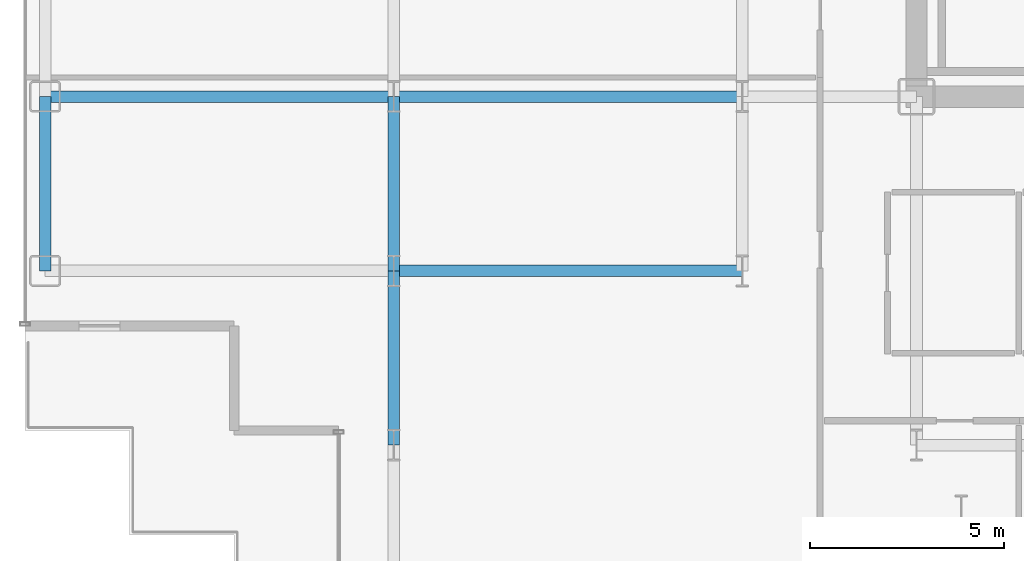
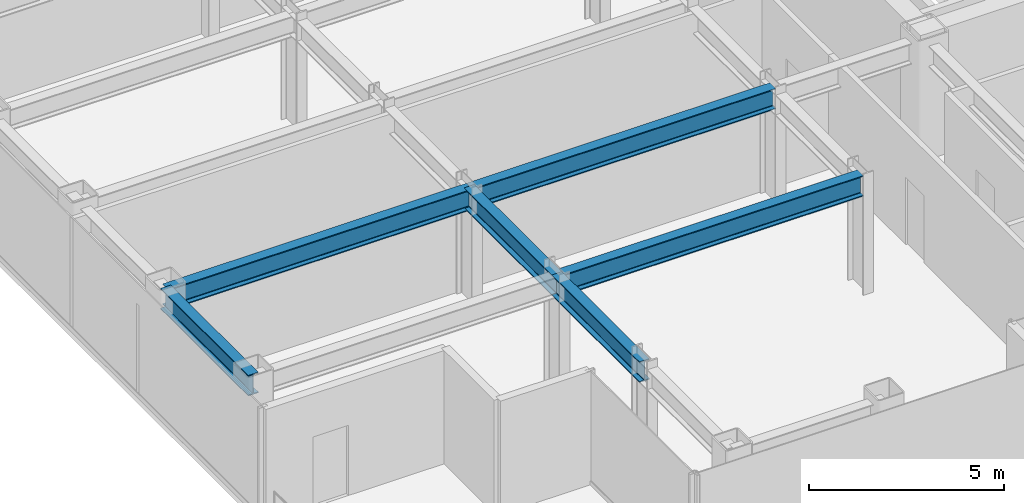
# One storey, part 4 of 23: 6 beams.
"""IFC4 building model written with IfcOpenShell, lengths in metres."""

import ifcopenshell
import ifcopenshell.guid

model = None  # the IFC model being written
_history = None  # IfcOwnerHistory: only IFC2X3 demands one
_inside = {}  # id of a spatial element -> (the spatial element, [elements in it])
_under = {}  # id of a project, library or spatial element -> (it, [spatial elements below it])
_declared = {}  # id of a project -> (the project, [libraries it declares])
_typed = {}  # id of a type object -> (the type object, [elements of that type])
_made_of = {}  # id of a material, layer set ... -> (it, [elements and type objects made of it])


def new_model(schema):
    """Start an empty IFC model of exactly this schema.

    Asked for "IFC4X3", IfcOpenShell would pick the latest addendum, in which some entities
    have other attributes; the version numbers below select the first issue.
    IFC2X3 requires an IfcOwnerHistory on every rooted entity: one is made here for all.
    """
    global model, _history
    if schema == "IFC4X3":
        model = ifcopenshell.file(schema_version=(4, 3, 0, 0))
    else:
        model = ifcopenshell.file(schema=schema)
    _inside.clear()
    _under.clear()
    _declared.clear()
    _typed.clear()
    _made_of.clear()
    _history = None
    if model.schema == "IFC2X3":
        org = make("IfcOrganization", Name="unknown")
        user = make(
            "IfcPersonAndOrganization",
            ThePerson=make("IfcPerson", FamilyName="unknown"),
            TheOrganization=org,
        )
        app = make(
            "IfcApplication",
            ApplicationDeveloper=org,
            Version="unknown",
            ApplicationFullName="unknown",
            ApplicationIdentifier="unknown",
        )
        _history = make(
            "IfcOwnerHistory",
            OwningUser=user,
            OwningApplication=app,
            ChangeAction="ADDED",
            CreationDate=0,
        )
    return model


def make(cls, **values):
    """One entity of the class cls with the attributes given. An attribute that is None is left unset."""
    return model.create_entity(
        cls, **{name: value for name, value in values.items() if value is not None}
    )


def rooted(cls, **values):
    """An entity with a GlobalId (a new one), such as an element, a storey or a relation."""
    return make(cls, GlobalId=ifcopenshell.guid.new(), OwnerHistory=_history, **values)


def si_unit(unit_type, name, prefix=None):
    """IfcSIUnit, for example si_unit("LENGTHUNIT", "METRE", prefix="MILLI")."""
    return make("IfcSIUnit", UnitType=unit_type, Prefix=prefix, Name=name)


def assignment(units):
    """IfcUnitAssignment: the units of a project."""
    return None if units is None else make("IfcUnitAssignment", Units=units)


def point(xyz):
    """IfcCartesianPoint."""
    return None if xyz is None else make("IfcCartesianPoint", Coordinates=xyz)


def direction(xyz):
    """IfcDirection."""
    return None if xyz is None else make("IfcDirection", DirectionRatios=xyz)


def frame(location, z_axis=None, x_axis=None):
    """IfcAxis2Placement3D, a coordinate frame: its origin and axes. An axis left out is left unset."""
    return make(
        "IfcAxis2Placement3D",
        Location=point(location),
        Axis=direction(z_axis),
        RefDirection=direction(x_axis),
    )


def frame_2d(location, x_axis=None):
    """IfcAxis2Placement2D, a coordinate frame in the plane: its origin and x axis."""
    return make(
        "IfcAxis2Placement2D", Location=point(location), RefDirection=direction(x_axis)
    )


def origin():
    """The frame at (0, 0, 0) with its axes left unset."""
    return frame((0.0, 0.0, 0.0))


def origin_2d():
    """The frame at (0, 0) in the plane with its x axis left unset."""
    return frame_2d((0.0, 0.0))


def place(relative_to, where):
    """IfcLocalPlacement: puts the frame where relative to a parent placement (None: the world)."""
    return make(
        "IfcLocalPlacement", PlacementRelTo=relative_to, RelativePlacement=where
    )


def context(
    kind, dimensions, precision=None, world=None, true_north=None, identifier=None
):
    """IfcGeometricRepresentationContext, for example the 3D "Model" context."""
    return make(
        "IfcGeometricRepresentationContext",
        ContextIdentifier=identifier,
        ContextType=kind,
        CoordinateSpaceDimension=dimensions,
        Precision=precision,
        WorldCoordinateSystem=world,
        TrueNorth=true_north,
    )


def subcontext(parent, identifier, kind, view, scale=None):
    """IfcGeometricRepresentationSubContext, for example "Body" below "Model"."""
    return make(
        "IfcGeometricRepresentationSubContext",
        ContextIdentifier=identifier,
        ContextType=kind,
        ParentContext=parent,
        TargetScale=scale,
        TargetView=view,
    )


def project(units=None, contexts=None):
    """IfcProject with its units and contexts."""
    return rooted(
        "IfcProject",
        Name="project",
        RepresentationContexts=contexts,
        UnitsInContext=assignment(units),
    )


def spatial(cls, under=None, at=None, **own):
    """A site, building, storey or space (cls), placed at a placement, below another one or the project."""
    s = rooted(cls, ObjectPlacement=at, **own)
    if under is not None:
        _under.setdefault(under.id(), (under, []))[1].append(s)
    return s


def profile(cls, at=None, kind="AREA", **sizes):
    """A parametric profile (cls). Its sizes go by their IFC names, for example OverallWidth=200.0."""
    return make(cls, ProfileType=kind, Position=at, **sizes)


def i_section(**sizes):
    """IfcIShapeProfileDef."""
    return profile("IfcIShapeProfileDef", **sizes)


def extrude(swept, where, along, depth):
    """IfcExtrudedAreaSolid: the profile swept, set in the frame where, extruded along a direction by depth."""
    return make(
        "IfcExtrudedAreaSolid",
        SweptArea=swept,
        Position=where,
        ExtrudedDirection=direction(along),
        Depth=depth,
    )


def shape(context_of_items, identifier, shape_type, items):
    """IfcShapeRepresentation: the items that make up one representation, for example the "Body"."""
    return make(
        "IfcShapeRepresentation",
        ContextOfItems=context_of_items,
        RepresentationIdentifier=identifier,
        RepresentationType=shape_type,
        Items=items,
    )


def source(mapping_origin, context_of_items, identifier, shape_type, items):
    """IfcRepresentationMap: a shape defined once, which mapped items show again and again."""
    return make(
        "IfcRepresentationMap",
        MappingOrigin=mapping_origin,
        MappedRepresentation=shape(context_of_items, identifier, shape_type, items),
    )


def transform(
    local_origin,
    x_axis=None,
    y_axis=None,
    z_axis=None,
    scale=None,
    scale2=None,
    scale3=None,
    uniform=True,
):
    """IfcCartesianTransformationOperator3D, or its non-uniform kind. x_axis, y_axis, z_axis: its Axis1, 2, 3."""
    if uniform:
        return make(
            "IfcCartesianTransformationOperator3D",
            Axis1=direction(x_axis),
            Axis2=direction(y_axis),
            LocalOrigin=point(local_origin),
            Scale=scale,
            Axis3=direction(z_axis),
        )
    return make(
        "IfcCartesianTransformationOperator3DnonUniform",
        Axis1=direction(x_axis),
        Axis2=direction(y_axis),
        LocalOrigin=point(local_origin),
        Scale=scale,
        Axis3=direction(z_axis),
        Scale2=scale2,
        Scale3=scale3,
    )


def mapped(mapping_source, mapping_target):
    """IfcMappedItem: shows the shape of a source again, moved by a transform."""
    return make(
        "IfcMappedItem", MappingSource=mapping_source, MappingTarget=mapping_target
    )


def material(Name=None, Category=None):
    """IfcMaterial."""
    return make("IfcMaterial", Name=Name, Category=Category)


def material_profile(
    of_material, cross_section, Name=None, Category=None, Priority=None
):
    """IfcMaterialProfile: a cross section and its material."""
    return make(
        "IfcMaterialProfile",
        Name=Name,
        Material=of_material,
        Profile=cross_section,
        Priority=Priority,
        Category=Category,
    )


def profile_set(profiles, Name=None, composite=None):
    """IfcMaterialProfileSet."""
    return make(
        "IfcMaterialProfileSet",
        Name=Name,
        MaterialProfiles=profiles,
        CompositeProfile=composite,
    )


def made_of(thing, what):
    """Note that an element or type object is made of a material, layer set ...; save() writes the relation."""
    if what is not None:
        _made_of.setdefault(what.id(), (what, []))[1].append(thing)
    return thing


def type_object(cls, material=None, **own):
    """A type object (cls), such as IfcWallType, which elements share."""
    return made_of(rooted(cls, **own), material)


def element(
    cls,
    number,
    at=None,
    inside=None,
    cuts=None,
    type_object=None,
    material=None,
    context=None,
    identifier="Body",
    shape_type=None,
    held_by="IfcProductDefinitionShape",
    body=None,
    shapes=None,
    **own,
):
    """One element of the class cls, such as IfcWall. Its Tag is "e" and its number.

    at: its placement. inside: the storey or other place that contains it. cuts: it is an
    opening in that element (IfcRelVoidsElement). A single representation is given by context,
    identifier, shape_type and body (its items); several are given by shapes. held_by: the class
    of the entity that holds the representations. save() writes the other relations.
    """
    e = rooted(cls, Tag="e%d" % number, ObjectPlacement=at, **own)
    if body is not None:
        shapes = [shape(context, identifier, shape_type, body)]
    if shapes is not None:
        e.Representation = make(held_by, Representations=shapes)
    if inside is not None:
        _inside.setdefault(inside.id(), (inside, []))[1].append(e)
    if cuts is not None:
        rooted(
            "IfcRelVoidsElement", RelatingBuildingElement=cuts, RelatedOpeningElement=e
        )
    if type_object is not None:
        _typed.setdefault(type_object.id(), (type_object, []))[1].append(e)
    return made_of(e, material)


def aggregate(whole, parts):
    """IfcRelAggregates: a whole, such as a stair, and the parts it consists of."""
    return rooted("IfcRelAggregates", RelatingObject=whole, RelatedObjects=parts)


def save(model, path):
    """Write the relations noted so far, then the file.

    IfcRelAggregates (storeys below a building ...), IfcRelContainedInSpatialStructure (elements
    in a storey), IfcRelDefinesByType, IfcRelAssociatesMaterial and IfcRelDeclares: one each for
    every whole, place, type object, material and project.
    """
    for whole, parts in _under.values():
        aggregate(whole, parts)
    for where, things in _inside.values():
        rooted(
            "IfcRelContainedInSpatialStructure",
            RelatedElements=things,
            RelatingStructure=where,
        )
    for kind, things in _typed.values():
        rooted("IfcRelDefinesByType", RelatedObjects=things, RelatingType=kind)
    for what, things in _made_of.values():
        rooted("IfcRelAssociatesMaterial", RelatedObjects=things, RelatingMaterial=what)
    for by, libraries in _declared.values():
        rooted("IfcRelDeclares", RelatingContext=by, RelatedDefinitions=libraries)
    model.write(path)


model = new_model("IFC4")

# Units and contexts
model_context = context("Model", 3, precision=1e-05, world=origin(), true_north=direction((0.0, 1.0)))
body_context = subcontext(model_context, "Body", "Model", "MODEL_VIEW")
ifc_project = project(units=[si_unit("LENGTHUNIT", "METRE"), si_unit("AREAUNIT", "SQUARE_METRE"), si_unit("VOLUMEUNIT", "CUBIC_METRE"), si_unit("PLANEANGLEUNIT", "RADIAN"), si_unit("MASSUNIT", "GRAM", prefix="KILO")], contexts=[model_context])

# Site, building, storey
site_placement = place(None, origin())
site = spatial("IfcSite", under=ifc_project, at=site_placement, CompositionType="ELEMENT")
building_placement = place(site_placement, origin())
building = spatial("IfcBuilding", under=site, at=building_placement, Name="Nefas-Gora Pilgrimage Tower", CompositionType="ELEMENT")
storey_placement = place(building_placement, frame((0.0, 0.0, 164.0)))
storey = spatial("IfcBuildingStorey", under=building, at=storey_placement, Name="L40", CompositionType="ELEMENT", Elevation=164.0)

# Beams
ifc_material = material(Name="Steel S355", Category="steel")
ifc_material_profile_1 = material_profile(ifc_material, i_section(OverallWidth=0.300048828125, OverallDepth=0.64990234375, WebThickness=0.01611328125, FlangeThickness=0.031005859375, FilletRadius=0.027099609375, at=origin_2d()), Name="HEB 650")
ifc_profile_set_1 = profile_set([ifc_material_profile_1], Name="Steel S355")
beam_type_1 = type_object("IfcBeamType", Name="BM-SPN-HEB500", PredefinedType="SPANDREL", material=ifc_profile_set_1)
shared_shape_1 = source(origin(), body_context, "Body", "SweptSolid", [
    extrude(i_section(OverallWidth=0.300048828125, OverallDepth=0.64990234375, WebThickness=0.01611328125, FlangeThickness=0.031005859375, FilletRadius=0.027099609375, at=origin_2d()), origin(), (0.0, 0.0, 1.0), 4.5),
])
beam_placement = place(storey_placement, frame((-33.75, -13.5, 3.22509765625), z_axis=(0.0, 1.0, 0.0), x_axis=(-1.0, 0.0, 0.0)))
element("IfcBeam", 1, at=beam_placement, inside=storey, type_object=beam_type_1, Name="L40 SP-02 beam", PredefinedType="SPANDREL", context=body_context, shape_type="MappedRepresentation", body=[
    mapped(shared_shape_1, transform((0.0, 0.0, 0.0), x_axis=(1.0, 0.0, 0.0), y_axis=(0.0, 1.0, 0.0), z_axis=(0.0, 0.0, 1.0), scale=1.0)),
])
ifc_material_profile_2 = material_profile(ifc_material, i_section(OverallWidth=0.300048828125, OverallDepth=0.64990234375, WebThickness=0.01611328125, FlangeThickness=0.031005859375, FilletRadius=0.027099609375, at=origin_2d()), Name="HEB 650")
ifc_profile_set_2 = profile_set([ifc_material_profile_2], Name="Steel S355")
beam_type_2 = type_object("IfcBeamType", Name="BM-GIR-HEB650", PredefinedType="BEAM", material=ifc_profile_set_2)
shared_shape_2 = source(origin(), body_context, "Body", "SweptSolid", [
    extrude(i_section(OverallWidth=0.300048828125, OverallDepth=0.64990234375, WebThickness=0.01611328125, FlangeThickness=0.031005859375, FilletRadius=0.027099609375, at=origin_2d()), origin(), (0.0, 0.0, 1.0), 9.0),
])
for number, where, z_axis, x_axis, name in (
    (2, (-33.75, -9.0, 3.22509765625), (1.0, 0.0, 0.0), (0.0, 1.0, 0.0), "L40 G-03 beam"),
    (3, (-24.75, -13.5, 3.22509765625), (1.0, 0.0, 0.0), (0.0, 1.0, 0.0), "L40 G-03 beam"),
    (4, (-24.75, -9.0, 3.22509765625), (1.0, 0.0, 0.0), (0.0, 1.0, 0.0), "L40 G-03 beam"),
):
    element("IfcBeam", number, at=place(storey_placement, frame(where, z_axis=z_axis, x_axis=x_axis)), inside=storey, type_object=beam_type_2, Name=name, PredefinedType="BEAM", context=body_context, shape_type="MappedRepresentation", body=[
        mapped(shared_shape_2, transform((0.0, 0.0, 0.0), x_axis=(1.0, 0.0, 0.0), y_axis=(0.0, 1.0, 0.0), z_axis=(0.0, 0.0, 1.0), scale=1.0)),
    ])
shared_shape_3 = source(origin(), body_context, "Body", "SweptSolid", [
    extrude(i_section(OverallWidth=0.300048828125, OverallDepth=0.64990234375, WebThickness=0.01611328125, FlangeThickness=0.031005859375, FilletRadius=0.027099609375, at=origin_2d()), origin(), (0.0, 0.0, 1.0), 4.5),
])
for number, where, z_axis, x_axis, name in (
    (5, (-24.75, -18.0, 3.22509765625), (0.0, 1.0, 0.0), (-1.0, 0.0, 0.0), "L40 G-03 beam"),
    (6, (-24.75, -13.5, 3.22509765625), (0.0, 1.0, 0.0), (-1.0, 0.0, 0.0), "L40 G-03 beam"),
):
    element("IfcBeam", number, at=place(storey_placement, frame(where, z_axis=z_axis, x_axis=x_axis)), inside=storey, type_object=beam_type_2, Name=name, PredefinedType="BEAM", context=body_context, shape_type="MappedRepresentation", body=[
        mapped(shared_shape_3, transform((0.0, 0.0, 0.0), x_axis=(1.0, 0.0, 0.0), y_axis=(0.0, 1.0, 0.0), z_axis=(0.0, 0.0, 1.0), scale=1.0)),
    ])

save(model, "model.ifc")
